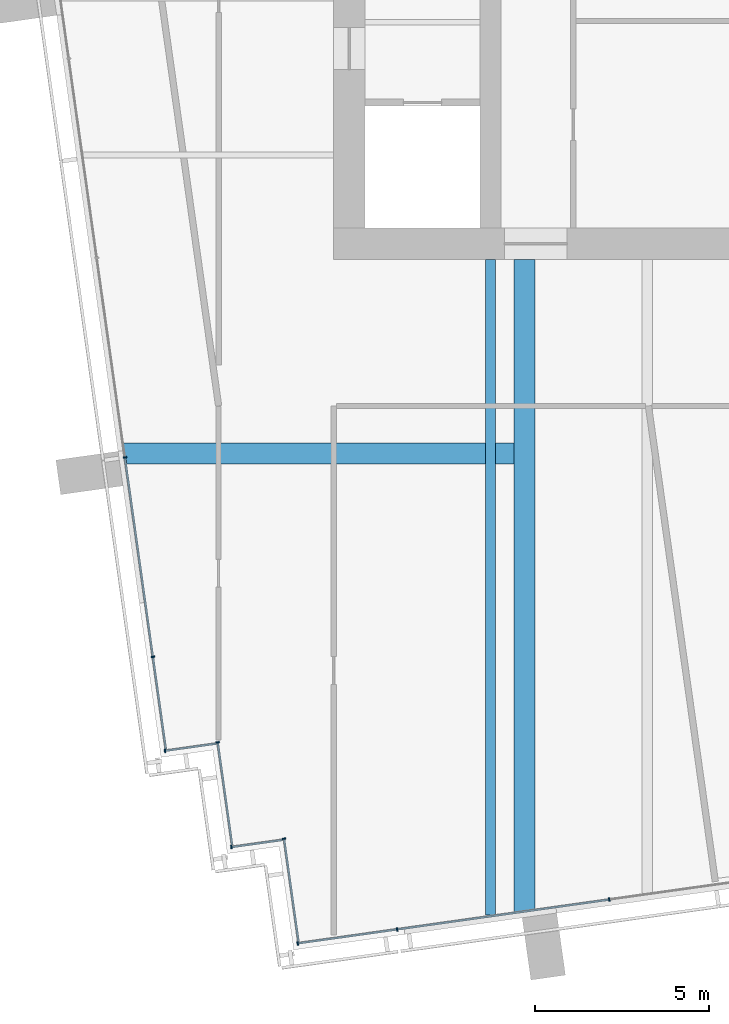
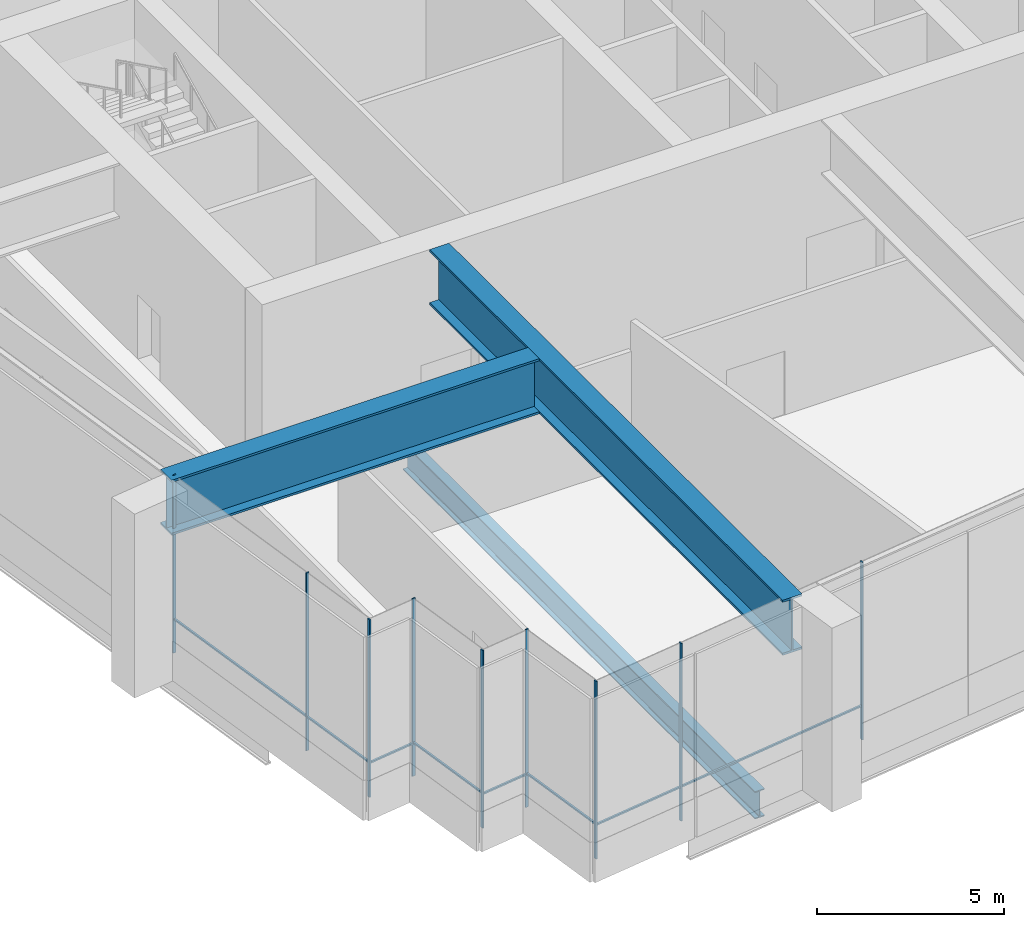
# One storey, part 2 of 25: 17 members, 3 beams, 7 elements without a shape of their own.
"""IFC4 building model written with IfcOpenShell, lengths in metres."""

from ifc_helpers import new_model, si_unit, direction, frame, origin, origin_2d, place, context, subcontext, project, spatial, rectangle, i_section, extrude, material, layer, layer_set, material_profile, profile_set, type_object, element, aggregate, save


model = new_model("IFC4")

# Units and contexts
model_context = context("Model", 3, precision=1e-05, world=origin(), true_north=direction((0.0, 1.0)))
body_context = subcontext(model_context, "Body", "Model", "MODEL_VIEW")
ifc_project = project(units=[si_unit("LENGTHUNIT", "METRE"), si_unit("AREAUNIT", "SQUARE_METRE"), si_unit("VOLUMEUNIT", "CUBIC_METRE"), si_unit("PLANEANGLEUNIT", "RADIAN"), si_unit("MASSUNIT", "GRAM", prefix="KILO")], contexts=[model_context])

# Site, building, storey
site_placement = place(None, origin())
site = spatial("IfcSite", under=ifc_project, at=site_placement, CompositionType="ELEMENT")
building_placement = place(site_placement, origin())
building = spatial("IfcBuilding", under=site, at=building_placement, Name="Rattan Terrace Tower", CompositionType="ELEMENT")
storey_placement = place(building_placement, frame((0.0, 0.0, 286.300048828125)))
storey = spatial("IfcBuildingStorey", under=building, at=storey_placement, Name="L66", CompositionType="ELEMENT", Elevation=286.300048828125)

# Beams
ifc_material_1 = material(Name="Steel S355", Category="steel")
ifc_material_profile_1 = material_profile(ifc_material_1, i_section(OverallWidth=0.300048828125, OverallDepth=0.89990234375, WebThickness=0.0185546875, FlangeThickness=0.034912109375, FilletRadius=0.030029296875, at=origin_2d()), Name="HE 900 B")
ifc_profile_set_1 = profile_set([ifc_material_profile_1], Name="Steel S355")
beam_type_1 = type_object("IfcBeamType", Name="Frame floor beam HE 900 B", PredefinedType="JOIST", material=ifc_profile_set_1)
beam_1_placement = place(storey_placement, frame((-13.5, -26.31201171875, -0.650146484375), z_axis=(0.0, 1.0, 0.0), x_axis=(-1.0, 0.0, 0.0)))
element("IfcBeam", 1, at=beam_1_placement, inside=storey, type_object=beam_type_1, Name="bm-L66-003", PredefinedType="JOIST", context=body_context, shape_type="SweptSolid", body=[
    extrude(i_section(OverallWidth=0.300048828125, OverallDepth=0.89990234375, WebThickness=0.0185546875, FlangeThickness=0.034912109375, FilletRadius=0.030029296875, at=origin_2d()), origin(), (0.0, 0.0, 1.0), 18.81201171875),
])
ifc_material_2 = material(Name="Steel S460", Category="steel")
ifc_material_profile_2 = material_profile(ifc_material_2, i_section(OverallWidth=0.60009765625, OverallDepth=1.800048828125, WebThickness=0.0400390625, FlangeThickness=0.070068359375, at=origin_2d()), Name="PG 1800x600-40-70")
ifc_profile_set_2 = profile_set([ifc_material_profile_2], Name="Steel S460")
beam_type_2 = type_object("IfcBeamType", Name="Frame transfer girder PG 1800x600-40-70", PredefinedType="USERDEFINED", material=ifc_profile_set_2)
beam_2_placement = place(storey_placement, frame((-24.176025390625, -13.070068359375, 4.89990234375), z_axis=(1.0, 0.0, 0.0), x_axis=(0.0, 1.0, 0.0)))
element("IfcBeam", 2, at=beam_2_placement, inside=storey, type_object=beam_type_2, Name="trf-L66-007", ObjectType="TRANSFER GIRDER", PredefinedType="USERDEFINED", context=body_context, shape_type="SweptSolid", body=[
    extrude(i_section(OverallWidth=0.60009765625, OverallDepth=1.800048828125, WebThickness=0.0400390625, FlangeThickness=0.070068359375, at=origin_2d()), origin(), (0.0, 0.0, 1.0), 11.35107421875),
])
beam_3_placement = place(storey_placement, frame((-12.530029296875, -26.3779296875, 4.89990234375), z_axis=(0.0, 1.0, 0.0), x_axis=(-1.0, 0.0, 0.0)))
element("IfcBeam", 3, at=beam_3_placement, inside=storey, type_object=beam_type_2, Name="trf-L66-011", ObjectType="TRANSFER GIRDER", PredefinedType="USERDEFINED", context=body_context, shape_type="SweptSolid", body=[
    extrude(i_section(OverallWidth=0.60009765625, OverallDepth=1.800048828125, WebThickness=0.0400390625, FlangeThickness=0.070068359375, at=origin_2d()), origin(), (0.0, 0.0, 1.0), 18.8779296875),
])

# Curtain wall, members
ifc_material_3 = material(Name="Aluminium and structural silicone glass", Category="aluminium")
ifc_layer = layer(ifc_material_3, 0.10009765625)
ifc_layer_set = layer_set([ifc_layer], Name="Observation Structural Silicone Curtain Wall")
curtain_wall_type = type_object("IfcCurtainWallType", Name="Observation Structural Silicone Curtain Wall", PredefinedType="NOTDEFINED", material=ifc_layer_set)
curtain_wall_1_placement = place(storey_placement, origin())
curtain_wall_1 = element("IfcCurtainWall", 4, at=curtain_wall_1_placement, inside=storey, type_object=curtain_wall_type, Name="Observation curtain wall L66-18", PredefinedType="NOTDEFINED")
ifc_material_4 = material(Name="Aluminium", Category="aluminium")
ifc_material_profile_3 = material_profile(ifc_material_4, rectangle(XDim=0.0400390625, YDim=0.10009765625, at=origin_2d()), Name="Aluminium 40x100")
ifc_profile_set_3 = profile_set([ifc_material_profile_3], Name="Aluminium")
member_type_1 = type_object("IfcMemberType", Name="Observation CW Mullion 40x100", PredefinedType="MULLION", material=ifc_profile_set_3)
member_1_placement = place(storey_placement, frame((-23.989990234375, -13.177490234375, 0.0), z_axis=(0.0, 0.0, 1.0), x_axis=(0.139191775431, -0.990265444036, 0.0)))
member_1 = element("IfcMember", 5, at=member_1_placement, type_object=member_type_1, Name="Mullion cwl-L66-018.4", PredefinedType="MULLION", context=body_context, shape_type="SweptSolid", body=[
    extrude(rectangle(XDim=0.0400390625, YDim=0.10009765625, at=origin_2d()), origin(), (0.0, 0.0, 1.0), 5.800048828125),
])
member_2_placement = place(storey_placement, frame((-23.185546875, -18.8994140625, 0.0), z_axis=(0.0, 0.0, 1.0), x_axis=(0.139191775431, -0.990265444036, 0.0)))
member_2 = element("IfcMember", 6, at=member_2_placement, type_object=member_type_1, Name="Mullion cwl-L66-018.5", PredefinedType="MULLION", context=body_context, shape_type="SweptSolid", body=[
    extrude(rectangle(XDim=0.0400390625, YDim=0.10009765625, at=origin_2d()), origin(), (0.0, 0.0, 1.0), 5.800048828125),
])

# Curtain wall, member
curtain_wall_2_placement = place(storey_placement, origin())
curtain_wall_2 = element("IfcCurtainWall", 7, at=curtain_wall_2_placement, inside=storey, type_object=curtain_wall_type, Name="Observation curtain wall L66-19", PredefinedType="NOTDEFINED")
member_3_placement = place(storey_placement, frame((-22.8369140625, -21.59521484375, 0.0), z_axis=(0.0, 0.0, 1.0), x_axis=(0.990240767803, 0.139367219175, 0.0)))
member_3 = element("IfcMember", 8, at=member_3_placement, type_object=member_type_1, Name="Mullion cwl-L66-019.1", PredefinedType="MULLION", context=body_context, shape_type="SweptSolid", body=[
    extrude(rectangle(XDim=0.0400390625, YDim=0.10009765625, at=origin_2d()), origin(), (0.0, 0.0, 1.0), 5.800048828125),
])

curtain_wall_3_placement = place(storey_placement, origin())
curtain_wall_3 = element("IfcCurtainWall", 9, at=curtain_wall_3_placement, inside=storey, type_object=curtain_wall_type, Name="Observation curtain wall L66-20", PredefinedType="NOTDEFINED")
member_4_placement = place(storey_placement, frame((-21.326416015625, -21.352294921875, 0.0), z_axis=(0.0, 0.0, 1.0), x_axis=(0.139321220646, -0.990247240581, 0.0)))
member_4 = element("IfcMember", 10, at=member_4_placement, type_object=member_type_1, Name="Mullion cwl-L66-020.1", PredefinedType="MULLION", context=body_context, shape_type="SweptSolid", body=[
    extrude(rectangle(XDim=0.0400390625, YDim=0.10009765625, at=origin_2d()), origin(), (0.0, 0.0, 1.0), 5.800048828125),
])

curtain_wall_4_placement = place(storey_placement, origin())
curtain_wall_4 = element("IfcCurtainWall", 11, at=curtain_wall_4_placement, inside=storey, type_object=curtain_wall_type, Name="Observation curtain wall L66-21", PredefinedType="NOTDEFINED")
member_5_placement = place(storey_placement, frame((-20.93408203125, -24.357177734375, 0.0), z_axis=(0.0, 0.0, 1.0), x_axis=(0.990332587523, 0.138713251317, 0.0)))
member_5 = element("IfcMember", 12, at=member_5_placement, type_object=member_type_1, Name="Mullion cwl-L66-021.1", PredefinedType="MULLION", context=body_context, shape_type="SweptSolid", body=[
    extrude(rectangle(XDim=0.0400390625, YDim=0.10009765625, at=origin_2d()), origin(), (0.0, 0.0, 1.0), 5.800048828125),
])

curtain_wall_5_placement = place(storey_placement, origin())
curtain_wall_5 = element("IfcCurtainWall", 13, at=curtain_wall_5_placement, inside=storey, type_object=curtain_wall_type, Name="Observation curtain wall L66-22", PredefinedType="NOTDEFINED")
member_6_placement = place(storey_placement, frame((-19.423583984375, -24.115478515625, 0.0), z_axis=(0.0, 0.0, 1.0), x_axis=(0.139367219175, -0.990240767803, 0.0)))
member_6 = element("IfcMember", 14, at=member_6_placement, type_object=member_type_1, Name="Mullion cwl-L66-022.1", PredefinedType="MULLION", context=body_context, shape_type="SweptSolid", body=[
    extrude(rectangle(XDim=0.0400390625, YDim=0.10009765625, at=origin_2d()), origin(), (0.0, 0.0, 1.0), 5.800048828125),
])

curtain_wall_6_placement = place(storey_placement, origin())
curtain_wall_6 = element("IfcCurtainWall", 15, at=curtain_wall_6_placement, inside=storey, type_object=curtain_wall_type, Name="Observation curtain wall L66-23", PredefinedType="NOTDEFINED")
member_7_placement = place(storey_placement, frame((-19.031005859375, -27.119140625, 0.0), z_axis=(0.0, 0.0, 1.0), x_axis=(0.990286729519, 0.139040257974, 0.0)))
member_7 = element("IfcMember", 16, at=member_7_placement, type_object=member_type_1, Name="Mullion cwl-L66-023.1", PredefinedType="MULLION", context=body_context, shape_type="SweptSolid", body=[
    extrude(rectangle(XDim=0.0400390625, YDim=0.10009765625, at=origin_2d()), origin(), (0.0, 0.0, 1.0), 5.800048828125),
])

# Curtain wall, members
curtain_wall_7_placement = place(storey_placement, origin())
curtain_wall_7 = element("IfcCurtainWall", 17, at=curtain_wall_7_placement, inside=storey, type_object=curtain_wall_type, Name="Observation curtain wall L66-24", PredefinedType="NOTDEFINED")
member_8_placement = place(storey_placement, frame((-16.179931640625, -26.71875, 0.0), z_axis=(0.0, 0.0, 1.0), x_axis=(0.990265894013, 0.139188574079, 0.0)))
member_8 = element("IfcMember", 18, at=member_8_placement, type_object=member_type_1, Name="Mullion cwl-L66-024.1", PredefinedType="MULLION", context=body_context, shape_type="SweptSolid", body=[
    extrude(rectangle(XDim=0.0400390625, YDim=0.10009765625, at=origin_2d()), origin(), (0.0, 0.0, 1.0), 5.800048828125),
])
member_9_placement = place(storey_placement, frame((-10.09375, -25.863525390625, 0.0), z_axis=(0.0, 0.0, 1.0), x_axis=(0.990265894013, 0.139188574079, 0.0)))
member_9 = element("IfcMember", 19, at=member_9_placement, type_object=member_type_1, Name="Mullion cwl-L66-024.2", PredefinedType="MULLION", context=body_context, shape_type="SweptSolid", body=[
    extrude(rectangle(XDim=0.0400390625, YDim=0.10009765625, at=origin_2d()), origin(), (0.0, 0.0, 1.0), 5.800048828125),
])

# Member
ifc_material_5 = material(Name="Aluminium", Category="aluminium")
ifc_material_profile_4 = material_profile(ifc_material_5, rectangle(XDim=0.06005859375, YDim=0.050048828125, at=origin_2d()), Name="Aluminium 60x50")
ifc_profile_set_4 = profile_set([ifc_material_profile_4], Name="Aluminium")
member_type_2 = type_object("IfcMemberType", Name="Observation CW Transom 60x50", PredefinedType="USERDEFINED", material=ifc_profile_set_4)
member_10_placement = place(storey_placement, frame((-23.987060546875, -13.197509765625, 1.099853515625), z_axis=(0.139175296196, -0.990267760219, 0.0), x_axis=(0.990267760219, 0.139175296196, 0.0)))
member_10 = element("IfcMember", 20, at=member_10_placement, type_object=member_type_2, Name="Transom cwl-L66-018.4", ObjectType="TRANSOM", PredefinedType="USERDEFINED", context=body_context, shape_type="SweptSolid", body=[
    extrude(rectangle(XDim=0.06005859375, YDim=0.050048828125, at=origin_2d()), origin(), (0.0, 0.0, 1.0), 5.738037109375),
])

member_11_placement = place(storey_placement, frame((-23.182861328125, -18.919189453125, 1.099853515625), z_axis=(0.139213865706, -0.990262338775, 0.0), x_axis=(0.990262338775, 0.139213865706, 0.0)))
member_11 = element("IfcMember", 21, at=member_11_placement, type_object=member_type_2, Name="Transom cwl-L66-018.5", ObjectType="TRANSOM", PredefinedType="USERDEFINED", context=body_context, shape_type="SweptSolid", body=[
    extrude(rectangle(XDim=0.06005859375, YDim=0.050048828125, at=origin_2d()), origin(), (0.0, 0.0, 1.0), 2.648193359375),
])

aggregate(curtain_wall_1, [member_1, member_2, member_10, member_11])

member_12_placement = place(storey_placement, frame((-22.817138671875, -21.59228515625, 1.099853515625), z_axis=(0.990245042264, 0.139336844629, 0.0), x_axis=(-0.139336844629, 0.990245042264, 0.0)))
member_12 = element("IfcMember", 22, at=member_12_placement, type_object=member_type_2, Name="Transom cwl-L66-019.1", ObjectType="TRANSOM", PredefinedType="USERDEFINED", context=body_context, shape_type="SweptSolid", body=[
    extrude(rectangle(XDim=0.06005859375, YDim=0.050048828125, at=origin_2d()), origin(), (0.0, 0.0, 1.0), 1.45947265625),
])

aggregate(curtain_wall_2, [member_3, member_12])

member_13_placement = place(storey_placement, frame((-21.32373046875, -21.3720703125, 1.099853515625), z_axis=(0.139296531663, -0.990250713843, 0.0), x_axis=(0.990250713843, 0.139296531663, 0.0)))
member_13 = element("IfcMember", 23, at=member_13_placement, type_object=member_type_2, Name="Transom cwl-L66-020.1", ObjectType="TRANSOM", PredefinedType="USERDEFINED", context=body_context, shape_type="SweptSolid", body=[
    extrude(rectangle(XDim=0.06005859375, YDim=0.050048828125, at=origin_2d()), origin(), (0.0, 0.0, 1.0), 2.960205078125),
])

aggregate(curtain_wall_3, [member_4, member_13])

member_14_placement = place(storey_placement, frame((-20.914306640625, -24.3544921875, 1.099853515625), z_axis=(0.990340368658, 0.13865768715, 0.0), x_axis=(-0.13865768715, 0.990340368658, 0.0)))
member_14 = element("IfcMember", 24, at=member_14_placement, type_object=member_type_2, Name="Transom cwl-L66-021.1", ObjectType="TRANSOM", PredefinedType="USERDEFINED", context=body_context, shape_type="SweptSolid", body=[
    extrude(rectangle(XDim=0.06005859375, YDim=0.050048828125, at=origin_2d()), origin(), (0.0, 0.0, 1.0), 1.459716796875),
])

aggregate(curtain_wall_4, [member_5, member_14])

member_15_placement = place(storey_placement, frame((-19.420654296875, -24.13525390625, 1.099853515625), z_axis=(0.139353435526, -0.990242707626, 0.0), x_axis=(0.990242707626, 0.139353435526, 0.0)))
member_15 = element("IfcMember", 25, at=member_15_placement, type_object=member_type_2, Name="Transom cwl-L66-022.1", ObjectType="TRANSOM", PredefinedType="USERDEFINED", context=body_context, shape_type="SweptSolid", body=[
    extrude(rectangle(XDim=0.06005859375, YDim=0.050048828125, at=origin_2d()), origin(), (0.0, 0.0, 1.0), 2.958984375),
])

aggregate(curtain_wall_5, [member_6, member_15])

member_16_placement = place(storey_placement, frame((-19.01123046875, -27.116455078125, 1.099853515625), z_axis=(0.990285461735, 0.13904928722, 0.0), x_axis=(-0.13904928722, 0.990285461735, 0.0)))
member_16 = element("IfcMember", 26, at=member_16_placement, type_object=member_type_2, Name="Transom cwl-L66-023.1", ObjectType="TRANSOM", PredefinedType="USERDEFINED", context=body_context, shape_type="SweptSolid", body=[
    extrude(rectangle(XDim=0.06005859375, YDim=0.050048828125, at=origin_2d()), origin(), (0.0, 0.0, 1.0), 2.839111328125),
])

aggregate(curtain_wall_6, [member_7, member_16])

member_17_placement = place(storey_placement, frame((-16.16015625, -26.716064453125, 1.099853515625), z_axis=(0.990266828042, 0.139181928712, 0.0), x_axis=(-0.139181928712, 0.990266828042, 0.0)))
member_17 = element("IfcMember", 27, at=member_17_placement, type_object=member_type_2, Name="Transom cwl-L66-024.1", ObjectType="TRANSOM", PredefinedType="USERDEFINED", context=body_context, shape_type="SweptSolid", body=[
    extrude(rectangle(XDim=0.06005859375, YDim=0.050048828125, at=origin_2d()), origin(), (0.0, 0.0, 1.0), 6.10595703125),
])

aggregate(curtain_wall_7, [member_8, member_9, member_17])

save(model, "model.ifc")
